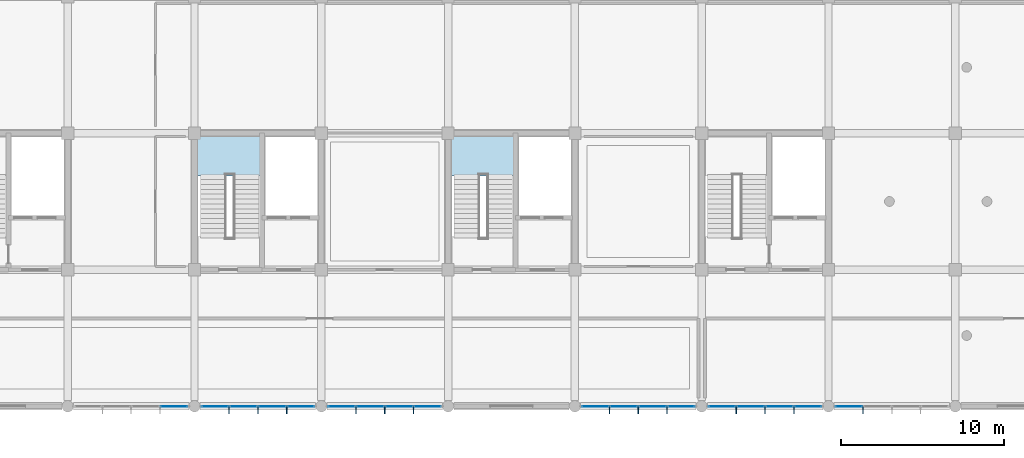
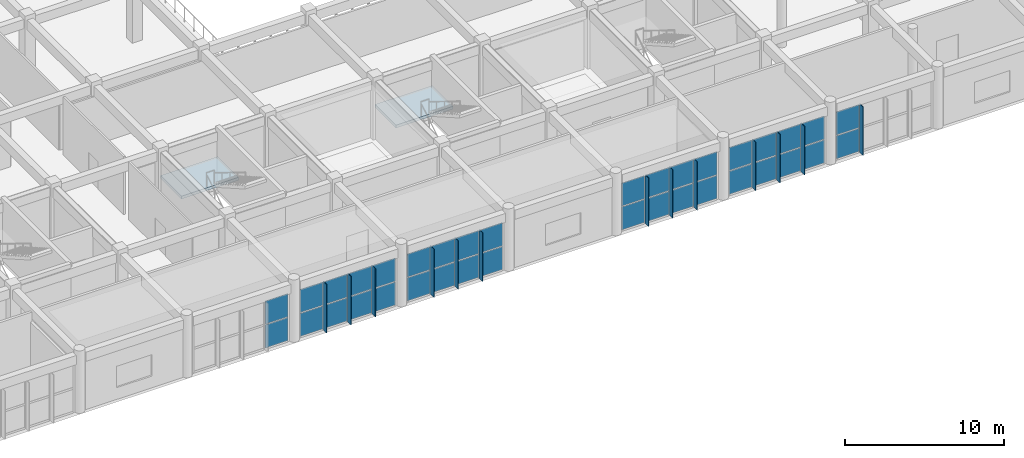
# One storey, part 130 of 167: 49 plates, 2 slabs, 8 elements without a shape of their own.
"""IFC4 building model written with IfcOpenShell, lengths in metres."""

from ifc_helpers import new_model, si_unit, direction, frame, origin, origin_2d, place, context, subcontext, project, spatial, polyline, rectangle, outline, extrude, material, layer, layer_set, type_object, element, aggregate, save


model = new_model("IFC4")

# Units and contexts
model_context = context("Model", 3, precision=1e-05, world=origin(), true_north=direction((0.0, 1.0)))
body_context = subcontext(model_context, "Body", "Model", "MODEL_VIEW")
ifc_project = project(units=[si_unit("LENGTHUNIT", "METRE"), si_unit("AREAUNIT", "SQUARE_METRE"), si_unit("VOLUMEUNIT", "CUBIC_METRE"), si_unit("PLANEANGLEUNIT", "RADIAN"), si_unit("MASSUNIT", "GRAM", prefix="KILO")], contexts=[model_context])

# Site, building, storey
site_placement = place(None, origin())
site = spatial("IfcSite", under=ifc_project, at=site_placement, CompositionType="ELEMENT")
building_placement = place(site_placement, origin())
building = spatial("IfcBuilding", under=site, at=building_placement, Name="Zizhar Promenade General Hospital", CompositionType="ELEMENT")
storey_placement = place(building_placement, frame((0.0, 0.0, 9.60009765625)))
storey = spatial("IfcBuildingStorey", under=building, at=storey_placement, Name="L02", CompositionType="ELEMENT", Elevation=9.60009765625)

# Curtain wall, plates
ifc_material_1 = material(Name="Anodised aluminium 6063-T6 and low-E glass", Category="aluminium")
ifc_layer_1 = layer(ifc_material_1, 0.159912109375)
ifc_layer_set_1 = layer_set([ifc_layer_1], Name="Anodised aluminium 6063-T6 and low-E glass")
curtain_wall_type = type_object("IfcCurtainWallType", Name="CW-DT-MOD1", PredefinedType="NOTDEFINED", material=ifc_layer_set_1)
curtain_wall_1_placement = place(storey_placement, origin())
curtain_wall_1 = element("IfcCurtainWall", 1, at=curtain_wall_1_placement, inside=storey, type_object=curtain_wall_type, Name="Riverfront Clinical Curtain Wall L02-6", PredefinedType="NOTDEFINED")
ifc_material_2 = material(Name="Low-E solar-control glass", Category="glass")
ifc_layer_2 = layer(ifc_material_2, 0.031982421875)
ifc_layer_set_2 = layer_set([ifc_layer_2], Name="Low-E solar-control glass")
plate_type_1 = type_object("IfcPlateType", Name="CWP-GLZ-32", PredefinedType="CURTAIN_PANEL", material=ifc_layer_set_2)
plate_1_placement = place(storey_placement, frame((61.135009765625, 0.0, 0.06005859375), z_axis=(0.0, 0.0, 1.0), x_axis=(-1.0, 0.0, 0.0)))
plate_1 = element("IfcPlate", 2, at=plate_1_placement, type_object=plate_type_1, Name="CW-07 panel 1.1", PredefinedType="CURTAIN_PANEL", context=body_context, shape_type="SweptSolid", body=[
    extrude(rectangle(XDim=1.64990234375, YDim=0.031982421875, at=origin_2d()), origin(), (0.0, 0.0, 1.0), 1.77490234375),
])
plate_2_placement = place(storey_placement, frame((61.135009765625, 0.0, 1.89501953125), z_axis=(0.0, 0.0, 1.0), x_axis=(-1.0, 0.0, 0.0)))
plate_2 = element("IfcPlate", 3, at=plate_2_placement, type_object=plate_type_1, Name="CW-07 panel 1.2", PredefinedType="CURTAIN_PANEL", context=body_context, shape_type="SweptSolid", body=[
    extrude(rectangle(XDim=1.64990234375, YDim=0.031982421875, at=origin_2d()), origin(), (0.0, 0.0, 1.0), 1.77490234375),
])
aggregate(curtain_wall_1, [plate_1, plate_2])

curtain_wall_2_placement = place(storey_placement, origin())
curtain_wall_2 = element("IfcCurtainWall", 4, at=curtain_wall_2_placement, inside=storey, type_object=curtain_wall_type, Name="Riverfront Clinical Curtain Wall L02-7", PredefinedType="NOTDEFINED")
plate_3_placement = place(storey_placement, frame((68.93505859375, 0.0, 0.06005859375), z_axis=(0.0, 0.0, 1.0), x_axis=(-1.0, 0.0, 0.0)))
plate_3 = element("IfcPlate", 5, at=plate_3_placement, type_object=plate_type_1, Name="CW-07 panel 1.1", PredefinedType="CURTAIN_PANEL", context=body_context, shape_type="SweptSolid", body=[
    extrude(rectangle(XDim=1.64990234375, YDim=0.031982421875, at=origin_2d()), origin(), (0.0, 0.0, 1.0), 1.77490234375),
])
plate_4_placement = place(storey_placement, frame((68.93505859375, 0.0, 1.89501953125), z_axis=(0.0, 0.0, 1.0), x_axis=(-1.0, 0.0, 0.0)))
plate_4 = element("IfcPlate", 6, at=plate_4_placement, type_object=plate_type_1, Name="CW-07 panel 1.2", PredefinedType="CURTAIN_PANEL", context=body_context, shape_type="SweptSolid", body=[
    extrude(rectangle(XDim=1.64990234375, YDim=0.031982421875, at=origin_2d()), origin(), (0.0, 0.0, 1.0), 1.77490234375),
])
plate_5_placement = place(storey_placement, frame((67.18505859375, 0.0, 0.06005859375), z_axis=(0.0, 0.0, 1.0), x_axis=(-1.0, 0.0, 0.0)))
plate_5 = element("IfcPlate", 7, at=plate_5_placement, type_object=plate_type_1, Name="CW-07 panel 2.1", PredefinedType="CURTAIN_PANEL", context=body_context, shape_type="SweptSolid", body=[
    extrude(rectangle(XDim=1.68994140625, YDim=0.031982421875, at=origin_2d()), origin(), (0.0, 0.0, 1.0), 1.77490234375),
])
plate_6_placement = place(storey_placement, frame((67.18505859375, 0.0, 1.89501953125), z_axis=(0.0, 0.0, 1.0), x_axis=(-1.0, 0.0, 0.0)))
plate_6 = element("IfcPlate", 8, at=plate_6_placement, type_object=plate_type_1, Name="CW-07 panel 2.2", PredefinedType="CURTAIN_PANEL", context=body_context, shape_type="SweptSolid", body=[
    extrude(rectangle(XDim=1.68994140625, YDim=0.031982421875, at=origin_2d()), origin(), (0.0, 0.0, 1.0), 1.77490234375),
])
plate_7_placement = place(storey_placement, frame((65.4150390625, 0.0, 0.06005859375), z_axis=(0.0, 0.0, 1.0), x_axis=(-1.0, 0.0, 0.0)))
plate_7 = element("IfcPlate", 9, at=plate_7_placement, type_object=plate_type_1, Name="CW-07 panel 3.1", PredefinedType="CURTAIN_PANEL", context=body_context, shape_type="SweptSolid", body=[
    extrude(rectangle(XDim=1.68994140625, YDim=0.031982421875, at=origin_2d()), origin(), (0.0, 0.0, 1.0), 1.77490234375),
])
plate_8_placement = place(storey_placement, frame((65.4150390625, 0.0, 1.89501953125), z_axis=(0.0, 0.0, 1.0), x_axis=(-1.0, 0.0, 0.0)))
plate_8 = element("IfcPlate", 10, at=plate_8_placement, type_object=plate_type_1, Name="CW-07 panel 3.2", PredefinedType="CURTAIN_PANEL", context=body_context, shape_type="SweptSolid", body=[
    extrude(rectangle(XDim=1.68994140625, YDim=0.031982421875, at=origin_2d()), origin(), (0.0, 0.0, 1.0), 1.77490234375),
])
plate_9_placement = place(storey_placement, frame((63.6650390625, 0.0, 0.06005859375), z_axis=(0.0, 0.0, 1.0), x_axis=(-1.0, 0.0, 0.0)))
plate_9 = element("IfcPlate", 11, at=plate_9_placement, type_object=plate_type_1, Name="CW-07 panel 4.1", PredefinedType="CURTAIN_PANEL", context=body_context, shape_type="SweptSolid", body=[
    extrude(rectangle(XDim=1.64990234375, YDim=0.031982421875, at=origin_2d()), origin(), (0.0, 0.0, 1.0), 1.77490234375),
])
plate_10_placement = place(storey_placement, frame((63.6650390625, 0.0, 1.89501953125), z_axis=(0.0, 0.0, 1.0), x_axis=(-1.0, 0.0, 0.0)))
plate_10 = element("IfcPlate", 12, at=plate_10_placement, type_object=plate_type_1, Name="CW-07 panel 4.2", PredefinedType="CURTAIN_PANEL", context=body_context, shape_type="SweptSolid", body=[
    extrude(rectangle(XDim=1.64990234375, YDim=0.031982421875, at=origin_2d()), origin(), (0.0, 0.0, 1.0), 1.77490234375),
])
aggregate(curtain_wall_2, [plate_3, plate_4, plate_5, plate_6, plate_7, plate_8, plate_9, plate_10])

curtain_wall_3_placement = place(storey_placement, origin())
curtain_wall_3 = element("IfcCurtainWall", 13, at=curtain_wall_3_placement, inside=storey, type_object=curtain_wall_type, Name="Riverfront Clinical Curtain Wall L02-8", PredefinedType="NOTDEFINED")
plate_11_placement = place(storey_placement, frame((76.735107421875, 0.0, 0.06005859375), z_axis=(0.0, 0.0, 1.0), x_axis=(-1.0, 0.0, 0.0)))
plate_11 = element("IfcPlate", 14, at=plate_11_placement, type_object=plate_type_1, Name="CW-07 panel 1.1", PredefinedType="CURTAIN_PANEL", context=body_context, shape_type="SweptSolid", body=[
    extrude(rectangle(XDim=1.64990234375, YDim=0.031982421875, at=origin_2d()), origin(), (0.0, 0.0, 1.0), 1.77490234375),
])
plate_12_placement = place(storey_placement, frame((76.735107421875, 0.0, 1.89501953125), z_axis=(0.0, 0.0, 1.0), x_axis=(-1.0, 0.0, 0.0)))
plate_12 = element("IfcPlate", 15, at=plate_12_placement, type_object=plate_type_1, Name="CW-07 panel 1.2", PredefinedType="CURTAIN_PANEL", context=body_context, shape_type="SweptSolid", body=[
    extrude(rectangle(XDim=1.64990234375, YDim=0.031982421875, at=origin_2d()), origin(), (0.0, 0.0, 1.0), 1.77490234375),
])
plate_13_placement = place(storey_placement, frame((74.985107421875, 0.0, 0.06005859375), z_axis=(0.0, 0.0, 1.0), x_axis=(-1.0, 0.0, 0.0)))
plate_13 = element("IfcPlate", 16, at=plate_13_placement, type_object=plate_type_1, Name="CW-07 panel 2.1", PredefinedType="CURTAIN_PANEL", context=body_context, shape_type="SweptSolid", body=[
    extrude(rectangle(XDim=1.68994140625, YDim=0.031982421875, at=origin_2d()), origin(), (0.0, 0.0, 1.0), 1.77490234375),
])
plate_14_placement = place(storey_placement, frame((74.985107421875, 0.0, 1.89501953125), z_axis=(0.0, 0.0, 1.0), x_axis=(-1.0, 0.0, 0.0)))
plate_14 = element("IfcPlate", 17, at=plate_14_placement, type_object=plate_type_1, Name="CW-07 panel 2.2", PredefinedType="CURTAIN_PANEL", context=body_context, shape_type="SweptSolid", body=[
    extrude(rectangle(XDim=1.68994140625, YDim=0.031982421875, at=origin_2d()), origin(), (0.0, 0.0, 1.0), 1.77490234375),
])
plate_15_placement = place(storey_placement, frame((73.215087890625, 0.0, 0.06005859375), z_axis=(0.0, 0.0, 1.0), x_axis=(-1.0, 0.0, 0.0)))
plate_15 = element("IfcPlate", 18, at=plate_15_placement, type_object=plate_type_1, Name="CW-07 panel 3.1", PredefinedType="CURTAIN_PANEL", context=body_context, shape_type="SweptSolid", body=[
    extrude(rectangle(XDim=1.68994140625, YDim=0.031982421875, at=origin_2d()), origin(), (0.0, 0.0, 1.0), 1.77490234375),
])
plate_16_placement = place(storey_placement, frame((73.215087890625, 0.0, 1.89501953125), z_axis=(0.0, 0.0, 1.0), x_axis=(-1.0, 0.0, 0.0)))
plate_16 = element("IfcPlate", 19, at=plate_16_placement, type_object=plate_type_1, Name="CW-07 panel 3.2", PredefinedType="CURTAIN_PANEL", context=body_context, shape_type="SweptSolid", body=[
    extrude(rectangle(XDim=1.68994140625, YDim=0.031982421875, at=origin_2d()), origin(), (0.0, 0.0, 1.0), 1.77490234375),
])
plate_17_placement = place(storey_placement, frame((71.465087890625, 0.0, 0.06005859375), z_axis=(0.0, 0.0, 1.0), x_axis=(-1.0, 0.0, 0.0)))
plate_17 = element("IfcPlate", 20, at=plate_17_placement, type_object=plate_type_1, Name="CW-07 panel 4.1", PredefinedType="CURTAIN_PANEL", context=body_context, shape_type="SweptSolid", body=[
    extrude(rectangle(XDim=1.64990234375, YDim=0.031982421875, at=origin_2d()), origin(), (0.0, 0.0, 1.0), 1.77490234375),
])
plate_18_placement = place(storey_placement, frame((71.465087890625, 0.0, 1.89501953125), z_axis=(0.0, 0.0, 1.0), x_axis=(-1.0, 0.0, 0.0)))
plate_18 = element("IfcPlate", 21, at=plate_18_placement, type_object=plate_type_1, Name="CW-07 panel 4.2", PredefinedType="CURTAIN_PANEL", context=body_context, shape_type="SweptSolid", body=[
    extrude(rectangle(XDim=1.64990234375, YDim=0.031982421875, at=origin_2d()), origin(), (0.0, 0.0, 1.0), 1.77490234375),
])
aggregate(curtain_wall_3, [plate_11, plate_12, plate_13, plate_14, plate_15, plate_16, plate_17, plate_18])

curtain_wall_4_placement = place(storey_placement, origin())
curtain_wall_4 = element("IfcCurtainWall", 22, at=curtain_wall_4_placement, inside=storey, type_object=curtain_wall_type, Name="Riverfront Clinical Curtain Wall L02-10", PredefinedType="NOTDEFINED")
plate_19_placement = place(storey_placement, frame((92.3349609375, 0.0, 0.06005859375), z_axis=(0.0, 0.0, 1.0), x_axis=(-1.0, 0.0, 0.0)))
plate_19 = element("IfcPlate", 23, at=plate_19_placement, type_object=plate_type_1, Name="CW-07 panel 1.1", PredefinedType="CURTAIN_PANEL", context=body_context, shape_type="SweptSolid", body=[
    extrude(rectangle(XDim=1.64990234375, YDim=0.031982421875, at=origin_2d()), origin(), (0.0, 0.0, 1.0), 1.77490234375),
])
plate_20_placement = place(storey_placement, frame((92.3349609375, 0.0, 1.89501953125), z_axis=(0.0, 0.0, 1.0), x_axis=(-1.0, 0.0, 0.0)))
plate_20 = element("IfcPlate", 24, at=plate_20_placement, type_object=plate_type_1, Name="CW-07 panel 1.2", PredefinedType="CURTAIN_PANEL", context=body_context, shape_type="SweptSolid", body=[
    extrude(rectangle(XDim=1.64990234375, YDim=0.031982421875, at=origin_2d()), origin(), (0.0, 0.0, 1.0), 1.77490234375),
])
plate_21_placement = place(storey_placement, frame((90.5849609375, 0.0, 0.06005859375), z_axis=(0.0, 0.0, 1.0), x_axis=(-1.0, 0.0, 0.0)))
plate_21 = element("IfcPlate", 25, at=plate_21_placement, type_object=plate_type_1, Name="CW-07 panel 2.1", PredefinedType="CURTAIN_PANEL", context=body_context, shape_type="SweptSolid", body=[
    extrude(rectangle(XDim=1.68994140625, YDim=0.031982421875, at=origin_2d()), origin(), (0.0, 0.0, 1.0), 1.77490234375),
])
plate_22_placement = place(storey_placement, frame((90.5849609375, 0.0, 1.89501953125), z_axis=(0.0, 0.0, 1.0), x_axis=(-1.0, 0.0, 0.0)))
plate_22 = element("IfcPlate", 26, at=plate_22_placement, type_object=plate_type_1, Name="CW-07 panel 2.2", PredefinedType="CURTAIN_PANEL", context=body_context, shape_type="SweptSolid", body=[
    extrude(rectangle(XDim=1.68994140625, YDim=0.031982421875, at=origin_2d()), origin(), (0.0, 0.0, 1.0), 1.77490234375),
])
plate_23_placement = place(storey_placement, frame((88.81494140625, 0.0, 0.06005859375), z_axis=(0.0, 0.0, 1.0), x_axis=(-1.0, 0.0, 0.0)))
plate_23 = element("IfcPlate", 27, at=plate_23_placement, type_object=plate_type_1, Name="CW-07 panel 3.1", PredefinedType="CURTAIN_PANEL", context=body_context, shape_type="SweptSolid", body=[
    extrude(rectangle(XDim=1.68994140625, YDim=0.031982421875, at=origin_2d()), origin(), (0.0, 0.0, 1.0), 1.77490234375),
])
plate_24_placement = place(storey_placement, frame((88.81494140625, 0.0, 1.89501953125), z_axis=(0.0, 0.0, 1.0), x_axis=(-1.0, 0.0, 0.0)))
plate_24 = element("IfcPlate", 28, at=plate_24_placement, type_object=plate_type_1, Name="CW-07 panel 3.2", PredefinedType="CURTAIN_PANEL", context=body_context, shape_type="SweptSolid", body=[
    extrude(rectangle(XDim=1.68994140625, YDim=0.031982421875, at=origin_2d()), origin(), (0.0, 0.0, 1.0), 1.77490234375),
])
plate_25_placement = place(storey_placement, frame((87.06494140625, 0.0, 0.06005859375), z_axis=(0.0, 0.0, 1.0), x_axis=(-1.0, 0.0, 0.0)))
plate_25 = element("IfcPlate", 29, at=plate_25_placement, type_object=plate_type_1, Name="CW-07 panel 4.1", PredefinedType="CURTAIN_PANEL", context=body_context, shape_type="SweptSolid", body=[
    extrude(rectangle(XDim=1.64990234375, YDim=0.031982421875, at=origin_2d()), origin(), (0.0, 0.0, 1.0), 1.77490234375),
])
plate_26_placement = place(storey_placement, frame((87.06494140625, 0.0, 1.89501953125), z_axis=(0.0, 0.0, 1.0), x_axis=(-1.0, 0.0, 0.0)))
plate_26 = element("IfcPlate", 30, at=plate_26_placement, type_object=plate_type_1, Name="CW-07 panel 4.2", PredefinedType="CURTAIN_PANEL", context=body_context, shape_type="SweptSolid", body=[
    extrude(rectangle(XDim=1.64990234375, YDim=0.031982421875, at=origin_2d()), origin(), (0.0, 0.0, 1.0), 1.77490234375),
])
aggregate(curtain_wall_4, [plate_19, plate_20, plate_21, plate_22, plate_23, plate_24, plate_25, plate_26])

curtain_wall_5_placement = place(storey_placement, origin())
curtain_wall_5 = element("IfcCurtainWall", 31, at=curtain_wall_5_placement, inside=storey, type_object=curtain_wall_type, Name="Riverfront Clinical Curtain Wall L02-11", PredefinedType="NOTDEFINED")
plate_27_placement = place(storey_placement, frame((100.135009765625, 0.0, 0.06005859375), z_axis=(0.0, 0.0, 1.0), x_axis=(-1.0, 0.0, 0.0)))
plate_27 = element("IfcPlate", 32, at=plate_27_placement, type_object=plate_type_1, Name="CW-07 panel 1.1", PredefinedType="CURTAIN_PANEL", context=body_context, shape_type="SweptSolid", body=[
    extrude(rectangle(XDim=1.64990234375, YDim=0.031982421875, at=origin_2d()), origin(), (0.0, 0.0, 1.0), 1.77490234375),
])
plate_28_placement = place(storey_placement, frame((100.135009765625, 0.0, 1.89501953125), z_axis=(0.0, 0.0, 1.0), x_axis=(-1.0, 0.0, 0.0)))
plate_28 = element("IfcPlate", 33, at=plate_28_placement, type_object=plate_type_1, Name="CW-07 panel 1.2", PredefinedType="CURTAIN_PANEL", context=body_context, shape_type="SweptSolid", body=[
    extrude(rectangle(XDim=1.64990234375, YDim=0.031982421875, at=origin_2d()), origin(), (0.0, 0.0, 1.0), 1.77490234375),
])
plate_29_placement = place(storey_placement, frame((98.385009765625, 0.0, 0.06005859375), z_axis=(0.0, 0.0, 1.0), x_axis=(-1.0, 0.0, 0.0)))
plate_29 = element("IfcPlate", 34, at=plate_29_placement, type_object=plate_type_1, Name="CW-07 panel 2.1", PredefinedType="CURTAIN_PANEL", context=body_context, shape_type="SweptSolid", body=[
    extrude(rectangle(XDim=1.68994140625, YDim=0.031982421875, at=origin_2d()), origin(), (0.0, 0.0, 1.0), 1.77490234375),
])
plate_30_placement = place(storey_placement, frame((98.385009765625, 0.0, 1.89501953125), z_axis=(0.0, 0.0, 1.0), x_axis=(-1.0, 0.0, 0.0)))
plate_30 = element("IfcPlate", 35, at=plate_30_placement, type_object=plate_type_1, Name="CW-07 panel 2.2", PredefinedType="CURTAIN_PANEL", context=body_context, shape_type="SweptSolid", body=[
    extrude(rectangle(XDim=1.68994140625, YDim=0.031982421875, at=origin_2d()), origin(), (0.0, 0.0, 1.0), 1.77490234375),
])
plate_31_placement = place(storey_placement, frame((96.614990234375, 0.0, 0.06005859375), z_axis=(0.0, 0.0, 1.0), x_axis=(-1.0, 0.0, 0.0)))
plate_31 = element("IfcPlate", 36, at=plate_31_placement, type_object=plate_type_1, Name="CW-07 panel 3.1", PredefinedType="CURTAIN_PANEL", context=body_context, shape_type="SweptSolid", body=[
    extrude(rectangle(XDim=1.68994140625, YDim=0.031982421875, at=origin_2d()), origin(), (0.0, 0.0, 1.0), 1.77490234375),
])
plate_32_placement = place(storey_placement, frame((96.614990234375, 0.0, 1.89501953125), z_axis=(0.0, 0.0, 1.0), x_axis=(-1.0, 0.0, 0.0)))
plate_32 = element("IfcPlate", 37, at=plate_32_placement, type_object=plate_type_1, Name="CW-07 panel 3.2", PredefinedType="CURTAIN_PANEL", context=body_context, shape_type="SweptSolid", body=[
    extrude(rectangle(XDim=1.68994140625, YDim=0.031982421875, at=origin_2d()), origin(), (0.0, 0.0, 1.0), 1.77490234375),
])
plate_33_placement = place(storey_placement, frame((94.864990234375, 0.0, 0.06005859375), z_axis=(0.0, 0.0, 1.0), x_axis=(-1.0, 0.0, 0.0)))
plate_33 = element("IfcPlate", 38, at=plate_33_placement, type_object=plate_type_1, Name="CW-07 panel 4.1", PredefinedType="CURTAIN_PANEL", context=body_context, shape_type="SweptSolid", body=[
    extrude(rectangle(XDim=1.64990234375, YDim=0.031982421875, at=origin_2d()), origin(), (0.0, 0.0, 1.0), 1.77490234375),
])
plate_34_placement = place(storey_placement, frame((94.864990234375, 0.0, 1.89501953125), z_axis=(0.0, 0.0, 1.0), x_axis=(-1.0, 0.0, 0.0)))
plate_34 = element("IfcPlate", 39, at=plate_34_placement, type_object=plate_type_1, Name="CW-07 panel 4.2", PredefinedType="CURTAIN_PANEL", context=body_context, shape_type="SweptSolid", body=[
    extrude(rectangle(XDim=1.64990234375, YDim=0.031982421875, at=origin_2d()), origin(), (0.0, 0.0, 1.0), 1.77490234375),
])
aggregate(curtain_wall_5, [plate_27, plate_28, plate_29, plate_30, plate_31, plate_32, plate_33, plate_34])

curtain_wall_6_placement = place(storey_placement, origin())
curtain_wall_6 = element("IfcCurtainWall", 40, at=curtain_wall_6_placement, inside=storey, type_object=curtain_wall_type, Name="Riverfront Clinical Curtain Wall L02-12", PredefinedType="NOTDEFINED")
plate_35_placement = place(storey_placement, frame((102.6650390625, 0.0, 0.06005859375), z_axis=(0.0, 0.0, 1.0), x_axis=(-1.0, 0.0, 0.0)))
plate_35 = element("IfcPlate", 41, at=plate_35_placement, type_object=plate_type_1, Name="CW-07 panel 4.1", PredefinedType="CURTAIN_PANEL", context=body_context, shape_type="SweptSolid", body=[
    extrude(rectangle(XDim=1.64990234375, YDim=0.031982421875, at=origin_2d()), origin(), (0.0, 0.0, 1.0), 1.77490234375),
])
plate_36_placement = place(storey_placement, frame((102.6650390625, 0.0, 1.89501953125), z_axis=(0.0, 0.0, 1.0), x_axis=(-1.0, 0.0, 0.0)))
plate_36 = element("IfcPlate", 42, at=plate_36_placement, type_object=plate_type_1, Name="CW-07 panel 4.2", PredefinedType="CURTAIN_PANEL", context=body_context, shape_type="SweptSolid", body=[
    extrude(rectangle(XDim=1.64990234375, YDim=0.031982421875, at=origin_2d()), origin(), (0.0, 0.0, 1.0), 1.77490234375),
])
aggregate(curtain_wall_6, [plate_35, plate_36])

# Plates
ifc_material_3 = material(Name="Anodised aluminium 6063-T6", Category="aluminium")
ifc_layer_3 = layer(ifc_material_3, 0.0400390625)
ifc_layer_set_3 = layer_set([ifc_layer_3], Name="Anodised aluminium 6063-T6")
plate_type_2 = type_object("IfcPlateType", Name="FIN-ALU-450", PredefinedType="USERDEFINED", material=ifc_layer_set_3)
plate_37_placement = place(storey_placement, origin())
element("IfcPlate", 43, at=plate_37_placement, inside=storey, type_object=plate_type_2, Name="Riverfront Clinical Curtain Wall L02-7 Solar Fin 1", ObjectType="SOLAR_SHADE", PredefinedType="USERDEFINED", context=body_context, shape_type="SweptSolid", body=[
    extrude(outline(polyline([(68.090087890625, 0.0), (68.050048828125, 0.0), (68.050048828125, -0.449951171875), (68.090087890625, -0.449951171875), (68.090087890625, 0.0)])), origin(), (0.0, 0.0, 1.0), 3.72998046875),
])
plate_38_placement = place(storey_placement, origin())
element("IfcPlate", 44, at=plate_38_placement, inside=storey, type_object=plate_type_2, Name="Riverfront Clinical Curtain Wall L02-7 Solar Fin 2", ObjectType="SOLAR_SHADE", PredefinedType="USERDEFINED", context=body_context, shape_type="SweptSolid", body=[
    extrude(outline(polyline([(66.320068359375, 0.0), (66.280029296875, 0.0), (66.280029296875, -0.449951171875), (66.320068359375, -0.449951171875), (66.320068359375, 0.0)])), origin(), (0.0, 0.0, 1.0), 3.72998046875),
])
plate_39_placement = place(storey_placement, origin())
element("IfcPlate", 45, at=plate_39_placement, inside=storey, type_object=plate_type_2, Name="Riverfront Clinical Curtain Wall L02-7 Solar Fin 3", ObjectType="SOLAR_SHADE", PredefinedType="USERDEFINED", context=body_context, shape_type="SweptSolid", body=[
    extrude(outline(polyline([(64.550048828125, 0.0), (64.510009765625, 0.0), (64.510009765625, -0.449951171875), (64.550048828125, -0.449951171875), (64.550048828125, 0.0)])), origin(), (0.0, 0.0, 1.0), 3.72998046875),
])
plate_40_placement = place(storey_placement, origin())
element("IfcPlate", 46, at=plate_40_placement, inside=storey, type_object=plate_type_2, Name="Riverfront Clinical Curtain Wall L02-8 Solar Fin 1", ObjectType="SOLAR_SHADE", PredefinedType="USERDEFINED", context=body_context, shape_type="SweptSolid", body=[
    extrude(outline(polyline([(75.889892578125, 0.0), (75.85009765625, 0.0), (75.85009765625, -0.449951171875), (75.889892578125, -0.449951171875), (75.889892578125, 0.0)])), origin(), (0.0, 0.0, 1.0), 3.72998046875),
])
plate_41_placement = place(storey_placement, origin())
element("IfcPlate", 47, at=plate_41_placement, inside=storey, type_object=plate_type_2, Name="Riverfront Clinical Curtain Wall L02-8 Solar Fin 2", ObjectType="SOLAR_SHADE", PredefinedType="USERDEFINED", context=body_context, shape_type="SweptSolid", body=[
    extrude(outline(polyline([(74.1201171875, 0.0), (74.080078125, 0.0), (74.080078125, -0.449951171875), (74.1201171875, -0.449951171875), (74.1201171875, 0.0)])), origin(), (0.0, 0.0, 1.0), 3.72998046875),
])
plate_42_placement = place(storey_placement, origin())
element("IfcPlate", 48, at=plate_42_placement, inside=storey, type_object=plate_type_2, Name="Riverfront Clinical Curtain Wall L02-8 Solar Fin 3", ObjectType="SOLAR_SHADE", PredefinedType="USERDEFINED", context=body_context, shape_type="SweptSolid", body=[
    extrude(outline(polyline([(72.35009765625, 0.0), (72.31005859375, 0.0), (72.31005859375, -0.449951171875), (72.35009765625, -0.449951171875), (72.35009765625, 0.0)])), origin(), (0.0, 0.0, 1.0), 3.72998046875),
])
plate_43_placement = place(storey_placement, origin())
element("IfcPlate", 49, at=plate_43_placement, inside=storey, type_object=plate_type_2, Name="Riverfront Clinical Curtain Wall L02-10 Solar Fin 1", ObjectType="SOLAR_SHADE", PredefinedType="USERDEFINED", context=body_context, shape_type="SweptSolid", body=[
    extrude(outline(polyline([(91.489990234375, 0.0), (91.449951171875, 0.0), (91.449951171875, -0.449951171875), (91.489990234375, -0.449951171875), (91.489990234375, 0.0)])), origin(), (0.0, 0.0, 1.0), 3.72998046875),
])
plate_44_placement = place(storey_placement, origin())
element("IfcPlate", 50, at=plate_44_placement, inside=storey, type_object=plate_type_2, Name="Riverfront Clinical Curtain Wall L02-10 Solar Fin 2", ObjectType="SOLAR_SHADE", PredefinedType="USERDEFINED", context=body_context, shape_type="SweptSolid", body=[
    extrude(outline(polyline([(89.719970703125, 0.0), (89.679931640625, 0.0), (89.679931640625, -0.449951171875), (89.719970703125, -0.449951171875), (89.719970703125, 0.0)])), origin(), (0.0, 0.0, 1.0), 3.72998046875),
])
plate_45_placement = place(storey_placement, origin())
element("IfcPlate", 51, at=plate_45_placement, inside=storey, type_object=plate_type_2, Name="Riverfront Clinical Curtain Wall L02-10 Solar Fin 3", ObjectType="SOLAR_SHADE", PredefinedType="USERDEFINED", context=body_context, shape_type="SweptSolid", body=[
    extrude(outline(polyline([(87.949951171875, 0.0), (87.909912109375, 0.0), (87.909912109375, -0.449951171875), (87.949951171875, -0.449951171875), (87.949951171875, 0.0)])), origin(), (0.0, 0.0, 1.0), 3.72998046875),
])
plate_46_placement = place(storey_placement, origin())
element("IfcPlate", 52, at=plate_46_placement, inside=storey, type_object=plate_type_2, Name="Riverfront Clinical Curtain Wall L02-11 Solar Fin 1", ObjectType="SOLAR_SHADE", PredefinedType="USERDEFINED", context=body_context, shape_type="SweptSolid", body=[
    extrude(outline(polyline([(99.2900390625, 0.0), (99.25, 0.0), (99.25, -0.449951171875), (99.2900390625, -0.449951171875), (99.2900390625, 0.0)])), origin(), (0.0, 0.0, 1.0), 3.72998046875),
])
plate_47_placement = place(storey_placement, origin())
element("IfcPlate", 53, at=plate_47_placement, inside=storey, type_object=plate_type_2, Name="Riverfront Clinical Curtain Wall L02-11 Solar Fin 2", ObjectType="SOLAR_SHADE", PredefinedType="USERDEFINED", context=body_context, shape_type="SweptSolid", body=[
    extrude(outline(polyline([(97.52001953125, 0.0), (97.47998046875, 0.0), (97.47998046875, -0.449951171875), (97.52001953125, -0.449951171875), (97.52001953125, 0.0)])), origin(), (0.0, 0.0, 1.0), 3.72998046875),
])
plate_48_placement = place(storey_placement, origin())
element("IfcPlate", 54, at=plate_48_placement, inside=storey, type_object=plate_type_2, Name="Riverfront Clinical Curtain Wall L02-11 Solar Fin 3", ObjectType="SOLAR_SHADE", PredefinedType="USERDEFINED", context=body_context, shape_type="SweptSolid", body=[
    extrude(outline(polyline([(95.75, 0.0), (95.7099609375, 0.0), (95.7099609375, -0.449951171875), (95.75, -0.449951171875), (95.75, 0.0)])), origin(), (0.0, 0.0, 1.0), 3.72998046875),
])
plate_49_placement = place(storey_placement, origin())
element("IfcPlate", 55, at=plate_49_placement, inside=storey, type_object=plate_type_2, Name="Riverfront Clinical Curtain Wall L02-12 Solar Fin 3", ObjectType="SOLAR_SHADE", PredefinedType="USERDEFINED", context=body_context, shape_type="SweptSolid", body=[
    extrude(outline(polyline([(103.550048828125, 0.0), (103.510009765625, 0.0), (103.510009765625, -0.449951171875), (103.550048828125, -0.449951171875), (103.550048828125, 0.0)])), origin(), (0.0, 0.0, 1.0), 3.72998046875),
])

# Stair, slab
ifc_material_4 = material(Name="Concrete C35/45", Category="concrete")
stair_type = type_object("IfcStairType", Name="STR-DOG-480", PredefinedType="HALF_TURN_STAIR", material=ifc_material_4)
stair_1_placement = place(storey_placement, origin())
stair_1 = element("IfcStair", 56, at=stair_1_placement, inside=storey, type_object=stair_type, Name="Exit Stair ST-03 (L02 to L03)", PredefinedType="HALF_TURN_STAIR")
ifc_material_5 = material(Name="Concrete C35/45", Category="concrete")
ifc_layer_4 = layer(ifc_material_5, 0.219970703125)
ifc_layer_set_4 = layer_set([ifc_layer_4], Name="Concrete C35/45")
slab_type = type_object("IfcSlabType", Name="SLB-LAND-480", PredefinedType="LANDING", material=ifc_layer_set_4)
slab_1_placement = place(storey_placement, frame((0.0, 0.0, 2.179931640625)))
slab_1 = element("IfcSlab", 57, at=slab_1_placement, type_object=slab_type, Name="ST-03A landing 1", PredefinedType="LANDING", context=body_context, shape_type="SweptSolid", body=[
    extrude(outline(polyline([(62.39990234375, 14.169921875), (66.550048828125, 14.169921875), (66.550048828125, 16.800048828125), (62.39990234375, 16.800048828125), (62.39990234375, 14.169921875)])), origin(), (0.0, 0.0, 1.0), 0.219970703125),
])
aggregate(stair_1, [slab_1])

stair_2_placement = place(storey_placement, origin())
stair_2 = element("IfcStair", 58, at=stair_2_placement, inside=storey, type_object=stair_type, Name="Exit Stair ST-04 (L02 to L03)", PredefinedType="HALF_TURN_STAIR")
slab_2_placement = place(storey_placement, frame((0.0, 0.0, 2.179931640625)))
slab_2 = element("IfcSlab", 59, at=slab_2_placement, type_object=slab_type, Name="ST-04A landing 1", PredefinedType="LANDING", context=body_context, shape_type="SweptSolid", body=[
    extrude(outline(polyline([(78.0, 14.169921875), (82.14990234375, 14.169921875), (82.14990234375, 16.800048828125), (78.0, 16.800048828125), (78.0, 14.169921875)])), origin(), (0.0, 0.0, 1.0), 0.219970703125),
])
aggregate(stair_2, [slab_2])

save(model, "model.ifc")
